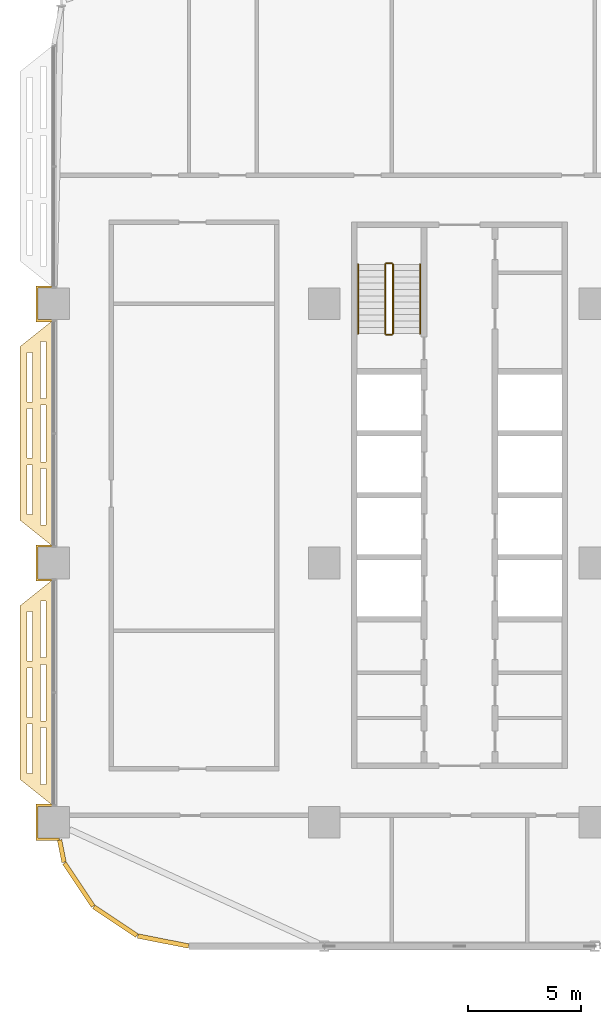
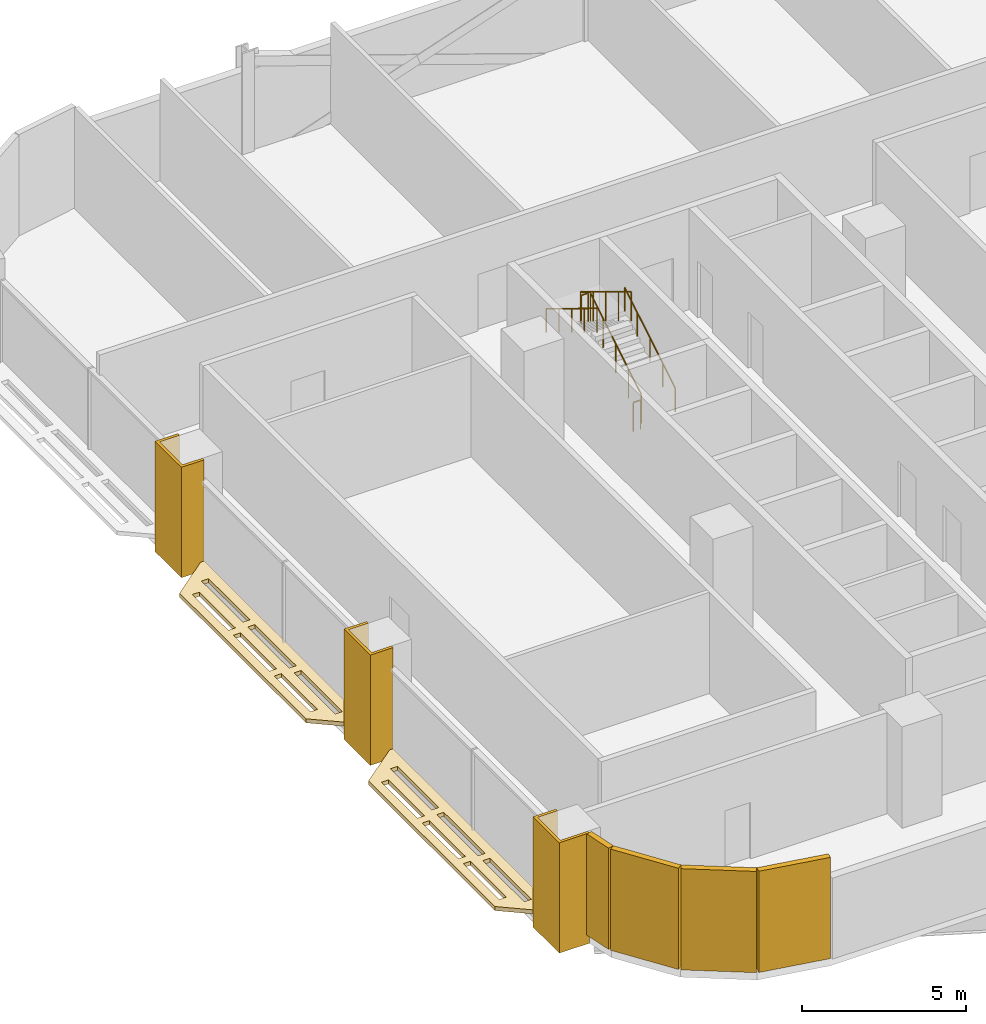
# One storey, part 23 of 29: 9 coverings, 6 railings.
"""IFC4 building model written with IfcOpenShell, lengths in metres."""

from ifc_helpers import new_model, si_unit, direction, frame, origin, origin_2d, place, context, subcontext, project, spatial, polyline, rectangle, circle, outline, extrude, material, layer, layer_set, type_object, element, save


model = new_model("IFC4")

# Units and contexts
model_context = context("Model", 3, precision=1e-05, world=origin(), true_north=direction((0.0, 1.0)))
body_context = subcontext(model_context, "Body", "Model", "MODEL_VIEW")
ifc_project = project(units=[si_unit("LENGTHUNIT", "METRE"), si_unit("AREAUNIT", "SQUARE_METRE"), si_unit("VOLUMEUNIT", "CUBIC_METRE"), si_unit("PLANEANGLEUNIT", "RADIAN"), si_unit("MASSUNIT", "GRAM", prefix="KILO")], contexts=[model_context])

# Site, building, storey
site_placement = place(None, origin())
site = spatial("IfcSite", under=ifc_project, at=site_placement, CompositionType="ELEMENT")
building_placement = place(site_placement, origin())
building = spatial("IfcBuilding", under=site, at=building_placement, Name="Mahtab Terrace Research Tower", CompositionType="ELEMENT")
storey_placement = place(building_placement, frame((0.0, 0.0, 105.300048828125)))
storey = spatial("IfcBuildingStorey", under=building, at=storey_placement, Name="L24", CompositionType="ELEMENT", Elevation=105.300048828125)

# Coverings
ifc_material_1 = material(Name="Black aluminium cladding panel", Category="aluminium")
ifc_layer_1 = layer(ifc_material_1, 0.199951171875)
ifc_layer_set_1 = layer_set([ifc_layer_1], Name="Black metal corner cladding 200")
covering_type_1 = type_object("IfcCoveringType", Name="Black metal corner cladding 200", PredefinedType="CLADDING", material=ifc_layer_set_1)
covering_1_placement = place(storey_placement, frame((-41.645263671875, -12.782470703125, 0.0), z_axis=(0.0, 0.0, 1.0), x_axis=(0.195212442692, -0.980760981187, 0.0)))
element("IfcCovering", 1, at=covering_1_placement, inside=storey, type_object=covering_type_1, Name="Corner cladding L24 19", PredefinedType="CLADDING", context=body_context, shape_type="SweptSolid", body=[
    extrude(rectangle(XDim=1.007568359375, YDim=0.199951171875, at=origin_2d()), origin(), (0.0, 0.0, 1.0), 3.760009765625),
])
for number, where, z_axis, x_axis, name in (
    (2, (-40.89306640625, -14.26953125, 0.0), (0.0, 0.0, 1.0), (0.555291490808, -0.831655794326, 0.0), "Corner cladding L24 20"),
    (3, (-39.26953125, -15.89306640625, 0.0), (0.0, 0.0, 1.0), (0.831655794326, -0.555291490808, 0.0), "Corner cladding L24 21"),
    (4, (-37.14794921875, -16.771484375, 0.0), (0.0, 0.0, 1.0), (0.980760981187, -0.195212442692, 0.0), "Corner cladding L24 22"),
):
    element("IfcCovering", number, at=place(storey_placement, frame(where, z_axis=z_axis, x_axis=x_axis)), inside=storey, type_object=covering_type_1, Name=name, PredefinedType="CLADDING", context=body_context, shape_type="SweptSolid", body=[
        extrude(rectangle(XDim=2.30126953125, YDim=0.199951171875, at=origin_2d()), origin(), (0.0, 0.0, 1.0), 3.760009765625),
    ])
ifc_material_2 = material(Name="Dark anodised aluminium cladding", Category="aluminium")
ifc_layer_2 = layer(ifc_material_2, 0.10009765625)
ifc_layer_set_2 = layer_set([ifc_layer_2], Name="Column casing 100")
covering_type_2 = type_object("IfcCoveringType", Name="Column casing 100", PredefinedType="CLADDING", material=ifc_layer_set_2)
covering_2_placement = place(storey_placement, frame((0.0, 0.0, -0.340087890625)))
element("IfcCovering", 5, at=covering_2_placement, inside=storey, type_object=covering_type_2, Name="Column casing RC-1A L24", PredefinedType="CLADDING", context=body_context, shape_type="SweptSolid", body=[
    extrude(outline(polyline([(-42.800048828125, -10.699951171875), (-42.0, -10.699951171875), (-42.0, -10.800048828125), (-42.699951171875, -10.800048828125), (-42.699951171875, -12.199951171875), (-41.760986328125, -12.199951171875), (-41.740966796875, -12.300048828125), (-42.800048828125, -12.300048828125), (-42.800048828125, -10.699951171875)])), origin(), (0.0, 0.0, 1.0), 4.10009765625),
])
covering_3_placement = place(storey_placement, frame((0.0, 0.0, -0.340087890625)))
element("IfcCovering", 6, at=covering_3_placement, inside=storey, type_object=covering_type_2, Name="Column casing RC-1B L24", PredefinedType="CLADDING", context=body_context, shape_type="SweptSolid", body=[
    extrude(outline(polyline([(-42.800048828125, 0.800048828125), (-42.0, 0.800048828125), (-42.0, 0.699951171875), (-42.699951171875, 0.699951171875), (-42.699951171875, -0.699951171875), (-42.0, -0.699951171875), (-42.0, -0.800048828125), (-42.800048828125, -0.800048828125), (-42.800048828125, 0.800048828125)])), origin(), (0.0, 0.0, 1.0), 4.10009765625),
])
covering_4_placement = place(storey_placement, frame((0.0, 0.0, -0.340087890625)))
element("IfcCovering", 7, at=covering_4_placement, inside=storey, type_object=covering_type_2, Name="Column casing RC-1C L24", PredefinedType="CLADDING", context=body_context, shape_type="SweptSolid", body=[
    extrude(outline(polyline([(-42.800048828125, 12.300048828125), (-42.0, 12.300048828125), (-42.0, 12.199951171875), (-42.699951171875, 12.199951171875), (-42.699951171875, 10.800048828125), (-42.0, 10.800048828125), (-42.0, 10.699951171875), (-42.800048828125, 10.699951171875), (-42.800048828125, 12.300048828125)])), origin(), (0.0, 0.0, 1.0), 4.10009765625),
])
ifc_material_3 = material(Name="Black anodised aluminium", Category="aluminium")
ifc_layer_3 = layer(ifc_material_3, 0.14990234375)
ifc_layer_set_3 = layer_set([ifc_layer_3], Name="Horizontal sunshade band")
covering_type_3 = type_object("IfcCoveringType", Name="Horizontal sunshade band", PredefinedType="CLADDING", material=ifc_layer_set_3)
covering_5_placement = place(storey_placement, frame((0.0, 0.0, -0.150146484375)))
element("IfcCovering", 8, at=covering_5_placement, inside=storey, type_object=covering_type_3, Name="Sunshade band L24 17", PredefinedType="CLADDING", context=body_context, shape_type="SweptSolid", body=[
    extrude(outline(polyline([(-42.0, 10.800048828125), (-42.0, 0.699951171875), (-43.5, 1.89990234375), (-43.5, 9.60009765625), (-42.0, 10.800048828125)]), holes=[polyline([(-42.35009765625, 9.820068359375), (-42.35009765625, 7.306884765625), (-42.60009765625, 7.306884765625), (-42.60009765625, 9.820068359375), (-42.35009765625, 9.820068359375)]), polyline([(-42.35009765625, 7.007080078125), (-42.35009765625, 4.492919921875), (-42.60009765625, 4.492919921875), (-42.60009765625, 7.007080078125), (-42.35009765625, 7.007080078125)]), polyline([(-42.35009765625, 4.193115234375), (-42.35009765625, 1.679931640625), (-42.60009765625, 1.679931640625), (-42.60009765625, 4.193115234375), (-42.35009765625, 4.193115234375)]), polyline([(-42.949951171875, 9.340087890625), (-42.949951171875, 7.14697265625), (-43.199951171875, 7.14697265625), (-43.199951171875, 9.340087890625), (-42.949951171875, 9.340087890625)]), polyline([(-42.949951171875, 6.846923828125), (-42.949951171875, 4.653076171875), (-43.199951171875, 4.653076171875), (-43.199951171875, 6.846923828125), (-42.949951171875, 6.846923828125)]), polyline([(-42.949951171875, 4.35302734375), (-42.949951171875, 2.159912109375), (-43.199951171875, 2.159912109375), (-43.199951171875, 4.35302734375), (-42.949951171875, 4.35302734375)])]), origin(), (0.0, 0.0, 1.0), 0.150146484375),
])
covering_6_placement = place(storey_placement, frame((0.0, 0.0, -0.150146484375)))
element("IfcCovering", 9, at=covering_6_placement, inside=storey, type_object=covering_type_3, Name="Sunshade band L24 18", PredefinedType="CLADDING", context=body_context, shape_type="SweptSolid", body=[
    extrude(outline(polyline([(-42.0, -0.699951171875), (-42.0, -10.800048828125), (-43.5, -9.60009765625), (-43.5, -1.89990234375), (-42.0, -0.699951171875)]), holes=[polyline([(-42.35009765625, -1.679931640625), (-42.35009765625, -4.193115234375), (-42.60009765625, -4.193115234375), (-42.60009765625, -1.679931640625), (-42.35009765625, -1.679931640625)]), polyline([(-42.35009765625, -4.492919921875), (-42.35009765625, -7.007080078125), (-42.60009765625, -7.007080078125), (-42.60009765625, -4.492919921875), (-42.35009765625, -4.492919921875)]), polyline([(-42.35009765625, -7.306884765625), (-42.35009765625, -9.820068359375), (-42.60009765625, -9.820068359375), (-42.60009765625, -7.306884765625), (-42.35009765625, -7.306884765625)]), polyline([(-42.949951171875, -2.159912109375), (-42.949951171875, -4.35302734375), (-43.199951171875, -4.35302734375), (-43.199951171875, -2.159912109375), (-42.949951171875, -2.159912109375)]), polyline([(-42.949951171875, -4.653076171875), (-42.949951171875, -6.846923828125), (-43.199951171875, -6.846923828125), (-43.199951171875, -4.653076171875), (-42.949951171875, -4.653076171875)]), polyline([(-42.949951171875, -7.14697265625), (-42.949951171875, -9.340087890625), (-43.199951171875, -9.340087890625), (-43.199951171875, -7.14697265625), (-42.949951171875, -7.14697265625)])]), origin(), (0.0, 0.0, 1.0), 0.150146484375),
])

# Railings
ifc_material_4 = material(Name="Stainless steel AISI 304", Category="steel")
railing_type_1 = type_object("IfcRailingType", Name="Stair guard 1100", PredefinedType="GUARDRAIL", material=ifc_material_4)
railing_1_placement = place(storey_placement, frame((-26.949951171875, 10.175048828125, 0.1708984375)))
element("IfcRailing", 10, at=railing_1_placement, inside=storey, type_object=railing_type_1, Name="L24 ST1 stair guard 1", PredefinedType="GUARDRAIL", context=body_context, shape_type="SweptSolid", body=[
    extrude(circle(Radius=0.02392578125, at=origin_2d()), frame((0.0, 0.0, 1.076171875), z_axis=(0.0, 0.853647949592, 0.520850437417), x_axis=(-1.0, 0.0, 0.0)), (0.0, 0.0, 1.0), 3.60791015625),
    extrude(circle(Radius=0.02099609375, at=origin_2d()), origin(), (0.0, 0.0, 1.0), 1.052001953125),
    extrude(circle(Radius=0.02099609375, at=origin_2d()), frame((0.0, 0.77001953125, 0.4697265625)), (0.0, 0.0, 1.0), 1.052001953125),
    extrude(circle(Radius=0.02099609375, at=origin_2d()), frame((0.0, 1.5400390625, 0.939453125)), (0.0, 0.0, 1.0), 1.052001953125),
    extrude(circle(Radius=0.02099609375, at=origin_2d()), frame((0.0, 2.309814453125, 1.409423828125)), (0.0, 0.0, 1.0), 1.052001953125),
    extrude(circle(Radius=0.02099609375, at=origin_2d()), frame((0.0, 3.079833984375, 1.879150390625)), (0.0, 0.0, 1.0), 1.052001953125),
])
railing_2_placement = place(storey_placement, frame((-27.0, 13.304931640625, 2.050048828125)))
element("IfcRailing", 11, at=railing_2_placement, inside=storey, type_object=railing_type_1, Name="L24 ST1 stair guard 2", PredefinedType="GUARDRAIL", context=body_context, shape_type="SweptSolid", body=[
    extrude(circle(Radius=0.02392578125, at=origin_2d()), frame((0.0, 0.0, 1.076171875), z_axis=(-1.0, 0.0, 0.0), x_axis=(0.0, -1.0, 0.0)), (0.0, 0.0, 1.0), 0.25),
    extrude(circle(Radius=0.02099609375, at=origin_2d()), origin(), (0.0, 0.0, 1.0), 1.052001953125),
    extrude(circle(Radius=0.02099609375, at=origin_2d()), frame((-0.25, 0.0, 0.0)), (0.0, 0.0, 1.0), 1.052001953125),
])
railing_3_placement = place(storey_placement, frame((-27.300048828125, 13.2548828125, 2.220703125)))
element("IfcRailing", 12, at=railing_3_placement, inside=storey, type_object=railing_type_1, Name="L24 ST1 stair guard 3", PredefinedType="GUARDRAIL", context=body_context, shape_type="SweptSolid", body=[
    extrude(circle(Radius=0.02392578125, at=origin_2d()), frame((0.0, 0.0, 1.076171875), z_axis=(0.0, -0.853647949592, 0.520850437417), x_axis=(1.0, 0.0, 0.0)), (0.0, 0.0, 1.0), 3.60791015625),
    extrude(circle(Radius=0.02099609375, at=origin_2d()), origin(), (0.0, 0.0, 1.0), 1.052001953125),
    extrude(circle(Radius=0.02099609375, at=origin_2d()), frame((0.0, -0.77001953125, 0.4697265625)), (0.0, 0.0, 1.0), 1.052001953125),
    extrude(circle(Radius=0.02099609375, at=origin_2d()), frame((0.0, -1.5400390625, 0.939453125)), (0.0, 0.0, 1.0), 1.052001953125),
    extrude(circle(Radius=0.02099609375, at=origin_2d()), frame((0.0, -2.309814453125, 1.409423828125)), (0.0, 0.0, 1.0), 1.052001953125),
    extrude(circle(Radius=0.02099609375, at=origin_2d()), frame((0.0, -3.079833984375, 1.879150390625)), (0.0, 0.0, 1.0), 1.052001953125),
])
railing_4_placement = place(storey_placement, frame((-27.0, 10.125, 0.0)))
element("IfcRailing", 13, at=railing_4_placement, inside=storey, type_object=railing_type_1, Name="L24 ST1 stair guard 4", PredefinedType="GUARDRAIL", context=body_context, shape_type="SweptSolid", body=[
    extrude(circle(Radius=0.02392578125, at=origin_2d()), frame((0.0, 0.0, 1.076171875), z_axis=(-1.0, 0.0, 0.0), x_axis=(0.0, -1.0, 0.0)), (0.0, 0.0, 1.0), 0.25),
    extrude(circle(Radius=0.02099609375, at=origin_2d()), origin(), (0.0, 0.0, 1.0), 1.052001953125),
    extrude(circle(Radius=0.02099609375, at=origin_2d()), frame((-0.25, 0.0, 0.0)), (0.0, 0.0, 1.0), 1.052001953125),
])
railing_type_2 = type_object("IfcRailingType", Name="Stair handrail 900", PredefinedType="HANDRAIL", material=ifc_material_4)
railing_5_placement = place(storey_placement, frame((-25.75, 10.175048828125, 0.1708984375)))
element("IfcRailing", 14, at=railing_5_placement, inside=storey, type_object=railing_type_2, Name="L24 ST1 stair handrail 1", PredefinedType="HANDRAIL", context=body_context, shape_type="SweptSolid", body=[
    extrude(circle(Radius=0.02392578125, at=origin_2d()), frame((0.0, 0.0, 0.8759765625), z_axis=(0.0, 0.853647949592, 0.520850437417), x_axis=(-1.0, 0.0, 0.0)), (0.0, 0.0, 1.0), 3.60791015625),
    extrude(circle(Radius=0.02099609375, at=origin_2d()), origin(), (0.0, 0.0, 1.0), 0.851806640625),
    extrude(circle(Radius=0.02099609375, at=origin_2d()), frame((0.0, 0.77001953125, 0.4697265625)), (0.0, 0.0, 1.0), 0.851806640625),
    extrude(circle(Radius=0.02099609375, at=origin_2d()), frame((0.0, 1.5400390625, 0.939453125)), (0.0, 0.0, 1.0), 0.851806640625),
    extrude(circle(Radius=0.02099609375, at=origin_2d()), frame((0.0, 2.309814453125, 1.409423828125)), (0.0, 0.0, 1.0), 0.851806640625),
    extrude(circle(Radius=0.02099609375, at=origin_2d()), frame((0.0, 3.079833984375, 1.879150390625)), (0.0, 0.0, 1.0), 0.851806640625),
])
railing_6_placement = place(storey_placement, frame((-28.5, 13.2548828125, 2.220703125)))
element("IfcRailing", 15, at=railing_6_placement, inside=storey, type_object=railing_type_2, Name="L24 ST1 stair handrail 2", PredefinedType="HANDRAIL", context=body_context, shape_type="SweptSolid", body=[
    extrude(circle(Radius=0.02392578125, at=origin_2d()), frame((0.0, 0.0, 0.8759765625), z_axis=(0.0, -0.853647949592, 0.520850437417), x_axis=(1.0, 0.0, 0.0)), (0.0, 0.0, 1.0), 3.60791015625),
    extrude(circle(Radius=0.02099609375, at=origin_2d()), origin(), (0.0, 0.0, 1.0), 0.851806640625),
    extrude(circle(Radius=0.02099609375, at=origin_2d()), frame((0.0, -0.77001953125, 0.4697265625)), (0.0, 0.0, 1.0), 0.851806640625),
    extrude(circle(Radius=0.02099609375, at=origin_2d()), frame((0.0, -1.5400390625, 0.939453125)), (0.0, 0.0, 1.0), 0.851806640625),
    extrude(circle(Radius=0.02099609375, at=origin_2d()), frame((0.0, -2.309814453125, 1.409423828125)), (0.0, 0.0, 1.0), 0.851806640625),
    extrude(circle(Radius=0.02099609375, at=origin_2d()), frame((0.0, -3.079833984375, 1.879150390625)), (0.0, 0.0, 1.0), 0.851806640625),
])

save(model, "model.ifc")
